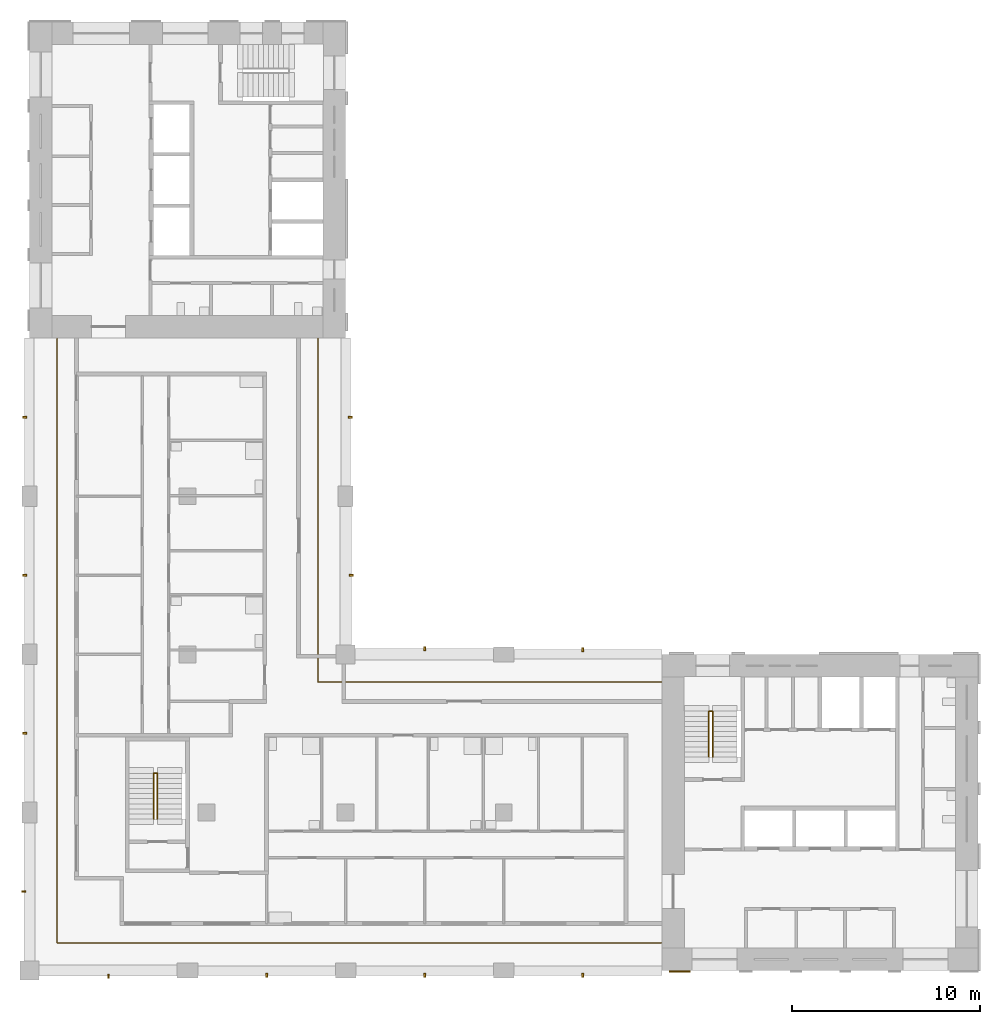
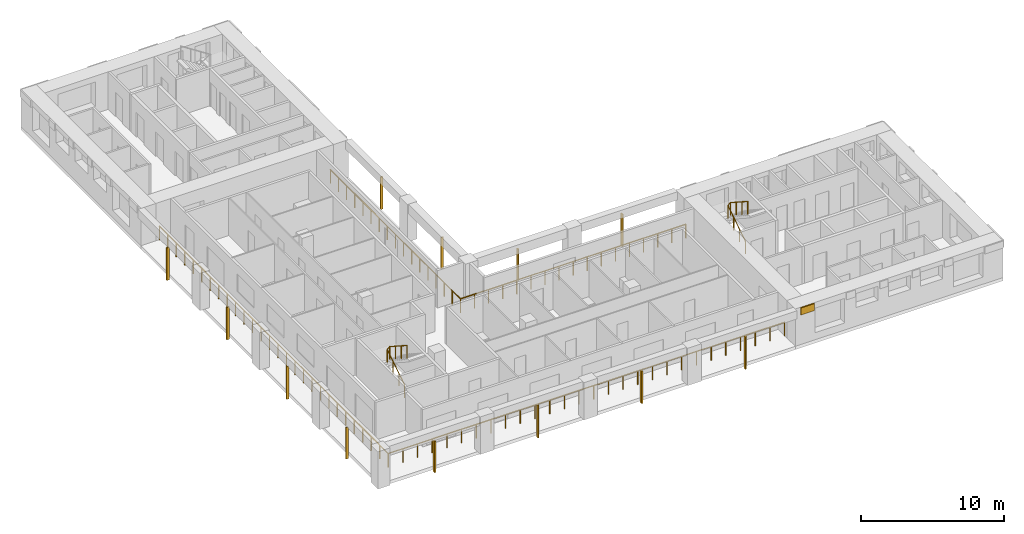
# One storey, part 8 of 10: 13 shading devices, 4 railings.
"""IFC4 building model written with IfcOpenShell, lengths in metres."""

from ifc_helpers import new_model, si_unit, direction, frame, origin, origin_2d, place, context, subcontext, project, spatial, rectangle, circle, extrude, material, layer, layer_set, material_profile, profile_set, type_object, element, save


model = new_model("IFC4")

# Units and contexts
model_context = context("Model", 3, precision=1e-05, world=origin(), true_north=direction((0.0, 1.0)))
body_context = subcontext(model_context, "Body", "Model", "MODEL_VIEW")
ifc_project = project(units=[si_unit("LENGTHUNIT", "METRE"), si_unit("AREAUNIT", "SQUARE_METRE"), si_unit("VOLUMEUNIT", "CUBIC_METRE"), si_unit("PLANEANGLEUNIT", "RADIAN"), si_unit("MASSUNIT", "GRAM", prefix="KILO")], contexts=[model_context])

# Site, building, storey
site_placement = place(None, origin())
site = spatial("IfcSite", under=ifc_project, at=site_placement, CompositionType="ELEMENT")
building_placement = place(site_placement, origin())
building = spatial("IfcBuilding", under=site, at=building_placement, Name="Vermilion Gate Residences", CompositionType="ELEMENT")
storey_placement = place(building_placement, frame((0.0, 0.0, 273.699951171875)))
storey = spatial("IfcBuildingStorey", under=building, at=storey_placement, Name="L72", CompositionType="ELEMENT", Elevation=273.699951171875)

# Railings
ifc_material_1 = material(Name="Stainless steel and toughened glass", Category="steel")
railing_type_1 = type_object("IfcRailingType", Name="LOGGIA GUARD STEEL AND GLASS 1200", PredefinedType="GUARDRAIL", material=ifc_material_1)
railing_1_placement = place(storey_placement, frame((41.97802734375, 23.72509765625, 0.0)))
element("IfcRailing", 1, at=railing_1_placement, inside=storey, type_object=railing_type_1, Name="Loggia guard", PredefinedType="GUARDRAIL", context=body_context, shape_type="SweptSolid", body=[
    extrude(circle(Radius=0.030029296875, at=origin_2d()), frame((0.0, 0.0, 1.169921875), z_axis=(-1.0, 0.0, 0.0), x_axis=(0.0, -1.0, 0.0)), (0.0, 0.0, 1.0), 18.2529296875),
    extrude(circle(Radius=0.030029296875, at=origin_2d()), frame((-18.2529296875, 0.0, 1.169921875), z_axis=(0.0, 1.0, 0.0), x_axis=(-1.0, 0.0, 0.0)), (0.0, 0.0, 1.0), 18.2529296875),
    extrude(circle(Radius=0.02490234375, at=origin_2d()), origin(), (0.0, 0.0, 1.0), 1.139892578125),
    extrude(circle(Radius=0.02490234375, at=origin_2d()), frame((-1.140869140625, 0.0, 0.0)), (0.0, 0.0, 1.0), 1.139892578125),
    extrude(circle(Radius=0.02490234375, at=origin_2d()), frame((-2.28173828125, 0.0, 0.0)), (0.0, 0.0, 1.0), 1.139892578125),
    extrude(circle(Radius=0.02490234375, at=origin_2d()), frame((-3.42236328125, 0.0, 0.0)), (0.0, 0.0, 1.0), 1.139892578125),
    extrude(circle(Radius=0.02490234375, at=origin_2d()), frame((-4.563232421875, 0.0, 0.0)), (0.0, 0.0, 1.0), 1.139892578125),
    extrude(circle(Radius=0.02490234375, at=origin_2d()), frame((-5.7041015625, 0.0, 0.0)), (0.0, 0.0, 1.0), 1.139892578125),
    extrude(circle(Radius=0.02490234375, at=origin_2d()), frame((-6.8447265625, 0.0, 0.0)), (0.0, 0.0, 1.0), 1.139892578125),
    extrude(circle(Radius=0.02490234375, at=origin_2d()), frame((-7.985595703125, 0.0, 0.0)), (0.0, 0.0, 1.0), 1.139892578125),
    extrude(circle(Radius=0.02490234375, at=origin_2d()), frame((-9.12646484375, 0.0, 0.0)), (0.0, 0.0, 1.0), 1.139892578125),
    extrude(circle(Radius=0.02490234375, at=origin_2d()), frame((-10.267333984375, 0.0, 0.0)), (0.0, 0.0, 1.0), 1.139892578125),
    extrude(circle(Radius=0.02490234375, at=origin_2d()), frame((-11.408203125, 0.0, 0.0)), (0.0, 0.0, 1.0), 1.139892578125),
    extrude(circle(Radius=0.02490234375, at=origin_2d()), frame((-12.548828125, 0.0, 0.0)), (0.0, 0.0, 1.0), 1.139892578125),
    extrude(circle(Radius=0.02490234375, at=origin_2d()), frame((-13.689697265625, 0.0, 0.0)), (0.0, 0.0, 1.0), 1.139892578125),
    extrude(circle(Radius=0.02490234375, at=origin_2d()), frame((-14.83056640625, 0.0, 0.0)), (0.0, 0.0, 1.0), 1.139892578125),
    extrude(circle(Radius=0.02490234375, at=origin_2d()), frame((-15.97119140625, 0.0, 0.0)), (0.0, 0.0, 1.0), 1.139892578125),
    extrude(circle(Radius=0.02490234375, at=origin_2d()), frame((-17.112060546875, 0.0, 0.0)), (0.0, 0.0, 1.0), 1.139892578125),
    extrude(circle(Radius=0.02490234375, at=origin_2d()), frame((-18.2529296875, 0.0, 0.0)), (0.0, 0.0, 1.0), 1.139892578125),
    extrude(circle(Radius=0.02490234375, at=origin_2d()), frame((-18.2529296875, 1.140869140625, 0.0)), (0.0, 0.0, 1.0), 1.139892578125),
    extrude(circle(Radius=0.02490234375, at=origin_2d()), frame((-18.2529296875, 2.28173828125, 0.0)), (0.0, 0.0, 1.0), 1.139892578125),
    extrude(circle(Radius=0.02490234375, at=origin_2d()), frame((-18.2529296875, 3.42236328125, 0.0)), (0.0, 0.0, 1.0), 1.139892578125),
    extrude(circle(Radius=0.02490234375, at=origin_2d()), frame((-18.2529296875, 4.563232421875, 0.0)), (0.0, 0.0, 1.0), 1.139892578125),
    extrude(circle(Radius=0.02490234375, at=origin_2d()), frame((-18.2529296875, 5.7041015625, 0.0)), (0.0, 0.0, 1.0), 1.139892578125),
    extrude(circle(Radius=0.02490234375, at=origin_2d()), frame((-18.2529296875, 6.8447265625, 0.0)), (0.0, 0.0, 1.0), 1.139892578125),
    extrude(circle(Radius=0.02490234375, at=origin_2d()), frame((-18.2529296875, 7.985595703125, 0.0)), (0.0, 0.0, 1.0), 1.139892578125),
    extrude(circle(Radius=0.02490234375, at=origin_2d()), frame((-18.2529296875, 9.12646484375, 0.0)), (0.0, 0.0, 1.0), 1.139892578125),
    extrude(circle(Radius=0.02490234375, at=origin_2d()), frame((-18.2529296875, 10.267333984375, 0.0)), (0.0, 0.0, 1.0), 1.139892578125),
    extrude(circle(Radius=0.02490234375, at=origin_2d()), frame((-18.2529296875, 11.408203125, 0.0)), (0.0, 0.0, 1.0), 1.139892578125),
    extrude(circle(Radius=0.02490234375, at=origin_2d()), frame((-18.2529296875, 12.548828125, 0.0)), (0.0, 0.0, 1.0), 1.139892578125),
    extrude(circle(Radius=0.02490234375, at=origin_2d()), frame((-18.2529296875, 13.689697265625, 0.0)), (0.0, 0.0, 1.0), 1.139892578125),
    extrude(circle(Radius=0.02490234375, at=origin_2d()), frame((-18.2529296875, 14.83056640625, 0.0)), (0.0, 0.0, 1.0), 1.139892578125),
    extrude(circle(Radius=0.02490234375, at=origin_2d()), frame((-18.2529296875, 15.97119140625, 0.0)), (0.0, 0.0, 1.0), 1.139892578125),
    extrude(circle(Radius=0.02490234375, at=origin_2d()), frame((-18.2529296875, 17.112060546875, 0.0)), (0.0, 0.0, 1.0), 1.139892578125),
    extrude(circle(Radius=0.02490234375, at=origin_2d()), frame((-18.2529296875, 18.2529296875, 0.0)), (0.0, 0.0, 1.0), 1.139892578125),
])
railing_2_placement = place(storey_placement, frame((9.875, 41.97802734375, 0.0)))
element("IfcRailing", 2, at=railing_2_placement, inside=storey, type_object=railing_type_1, Name="Loggia guard", PredefinedType="GUARDRAIL", context=body_context, shape_type="SweptSolid", body=[
    extrude(circle(Radius=0.030029296875, at=origin_2d()), frame((0.0, 0.0, 1.169921875), z_axis=(0.0, -1.0, 0.0), x_axis=(1.0, 0.0, 0.0)), (0.0, 0.0, 1.0), 32.10302734375),
    extrude(circle(Radius=0.030029296875, at=origin_2d()), frame((0.0, -32.10302734375, 1.169921875), z_axis=(1.0, 0.0, 0.0), x_axis=(0.0, 1.0, 0.0)), (0.0, 0.0, 1.0), 32.10302734375),
    extrude(circle(Radius=0.02490234375, at=origin_2d()), origin(), (0.0, 0.0, 1.0), 1.139892578125),
    extrude(circle(Radius=0.02490234375, at=origin_2d()), frame((0.0, -1.18896484375, 0.0)), (0.0, 0.0, 1.0), 1.139892578125),
    extrude(circle(Radius=0.02490234375, at=origin_2d()), frame((0.0, -2.3779296875, 0.0)), (0.0, 0.0, 1.0), 1.139892578125),
    extrude(circle(Radius=0.02490234375, at=origin_2d()), frame((0.0, -3.56689453125, 0.0)), (0.0, 0.0, 1.0), 1.139892578125),
    extrude(circle(Radius=0.02490234375, at=origin_2d()), frame((0.0, -4.756103515625, 0.0)), (0.0, 0.0, 1.0), 1.139892578125),
    extrude(circle(Radius=0.02490234375, at=origin_2d()), frame((0.0, -5.945068359375, 0.0)), (0.0, 0.0, 1.0), 1.139892578125),
    extrude(circle(Radius=0.02490234375, at=origin_2d()), frame((0.0, -7.134033203125, 0.0)), (0.0, 0.0, 1.0), 1.139892578125),
    extrude(circle(Radius=0.02490234375, at=origin_2d()), frame((0.0, -8.322998046875, 0.0)), (0.0, 0.0, 1.0), 1.139892578125),
    extrude(circle(Radius=0.02490234375, at=origin_2d()), frame((0.0, -9.511962890625, 0.0)), (0.0, 0.0, 1.0), 1.139892578125),
    extrude(circle(Radius=0.02490234375, at=origin_2d()), frame((0.0, -10.700927734375, 0.0)), (0.0, 0.0, 1.0), 1.139892578125),
    extrude(circle(Radius=0.02490234375, at=origin_2d()), frame((0.0, -11.889892578125, 0.0)), (0.0, 0.0, 1.0), 1.139892578125),
    extrude(circle(Radius=0.02490234375, at=origin_2d()), frame((0.0, -13.0791015625, 0.0)), (0.0, 0.0, 1.0), 1.139892578125),
    extrude(circle(Radius=0.02490234375, at=origin_2d()), frame((0.0, -14.26806640625, 0.0)), (0.0, 0.0, 1.0), 1.139892578125),
    extrude(circle(Radius=0.02490234375, at=origin_2d()), frame((0.0, -15.45703125, 0.0)), (0.0, 0.0, 1.0), 1.139892578125),
    extrude(circle(Radius=0.02490234375, at=origin_2d()), frame((0.0, -16.64599609375, 0.0)), (0.0, 0.0, 1.0), 1.139892578125),
    extrude(circle(Radius=0.02490234375, at=origin_2d()), frame((0.0, -17.8349609375, 0.0)), (0.0, 0.0, 1.0), 1.139892578125),
    extrude(circle(Radius=0.02490234375, at=origin_2d()), frame((0.0, -19.02392578125, 0.0)), (0.0, 0.0, 1.0), 1.139892578125),
    extrude(circle(Radius=0.02490234375, at=origin_2d()), frame((0.0, -20.213134765625, 0.0)), (0.0, 0.0, 1.0), 1.139892578125),
    extrude(circle(Radius=0.02490234375, at=origin_2d()), frame((0.0, -21.402099609375, 0.0)), (0.0, 0.0, 1.0), 1.139892578125),
    extrude(circle(Radius=0.02490234375, at=origin_2d()), frame((0.0, -22.591064453125, 0.0)), (0.0, 0.0, 1.0), 1.139892578125),
    extrude(circle(Radius=0.02490234375, at=origin_2d()), frame((0.0, -23.780029296875, 0.0)), (0.0, 0.0, 1.0), 1.139892578125),
    extrude(circle(Radius=0.02490234375, at=origin_2d()), frame((0.0, -24.968994140625, 0.0)), (0.0, 0.0, 1.0), 1.139892578125),
    extrude(circle(Radius=0.02490234375, at=origin_2d()), frame((0.0, -26.157958984375, 0.0)), (0.0, 0.0, 1.0), 1.139892578125),
    extrude(circle(Radius=0.02490234375, at=origin_2d()), frame((0.0, -27.346923828125, 0.0)), (0.0, 0.0, 1.0), 1.139892578125),
    extrude(circle(Radius=0.02490234375, at=origin_2d()), frame((0.0, -28.5361328125, 0.0)), (0.0, 0.0, 1.0), 1.139892578125),
    extrude(circle(Radius=0.02490234375, at=origin_2d()), frame((0.0, -29.72509765625, 0.0)), (0.0, 0.0, 1.0), 1.139892578125),
    extrude(circle(Radius=0.02490234375, at=origin_2d()), frame((0.0, -30.9140625, 0.0)), (0.0, 0.0, 1.0), 1.139892578125),
    extrude(circle(Radius=0.02490234375, at=origin_2d()), frame((0.0, -32.10302734375, 0.0)), (0.0, 0.0, 1.0), 1.139892578125),
    extrude(circle(Radius=0.02490234375, at=origin_2d()), frame((1.18896484375, -32.10302734375, 0.0)), (0.0, 0.0, 1.0), 1.139892578125),
    extrude(circle(Radius=0.02490234375, at=origin_2d()), frame((2.3779296875, -32.10302734375, 0.0)), (0.0, 0.0, 1.0), 1.139892578125),
    extrude(circle(Radius=0.02490234375, at=origin_2d()), frame((3.56689453125, -32.10302734375, 0.0)), (0.0, 0.0, 1.0), 1.139892578125),
    extrude(circle(Radius=0.02490234375, at=origin_2d()), frame((4.756103515625, -32.10302734375, 0.0)), (0.0, 0.0, 1.0), 1.139892578125),
    extrude(circle(Radius=0.02490234375, at=origin_2d()), frame((5.945068359375, -32.10302734375, 0.0)), (0.0, 0.0, 1.0), 1.139892578125),
    extrude(circle(Radius=0.02490234375, at=origin_2d()), frame((7.134033203125, -32.10302734375, 0.0)), (0.0, 0.0, 1.0), 1.139892578125),
    extrude(circle(Radius=0.02490234375, at=origin_2d()), frame((8.322998046875, -32.10302734375, 0.0)), (0.0, 0.0, 1.0), 1.139892578125),
    extrude(circle(Radius=0.02490234375, at=origin_2d()), frame((9.511962890625, -32.10302734375, 0.0)), (0.0, 0.0, 1.0), 1.139892578125),
    extrude(circle(Radius=0.02490234375, at=origin_2d()), frame((10.700927734375, -32.10302734375, 0.0)), (0.0, 0.0, 1.0), 1.139892578125),
    extrude(circle(Radius=0.02490234375, at=origin_2d()), frame((11.889892578125, -32.10302734375, 0.0)), (0.0, 0.0, 1.0), 1.139892578125),
    extrude(circle(Radius=0.02490234375, at=origin_2d()), frame((13.0791015625, -32.10302734375, 0.0)), (0.0, 0.0, 1.0), 1.139892578125),
    extrude(circle(Radius=0.02490234375, at=origin_2d()), frame((14.26806640625, -32.10302734375, 0.0)), (0.0, 0.0, 1.0), 1.139892578125),
    extrude(circle(Radius=0.02490234375, at=origin_2d()), frame((15.45703125, -32.10302734375, 0.0)), (0.0, 0.0, 1.0), 1.139892578125),
    extrude(circle(Radius=0.02490234375, at=origin_2d()), frame((16.64599609375, -32.10302734375, 0.0)), (0.0, 0.0, 1.0), 1.139892578125),
    extrude(circle(Radius=0.02490234375, at=origin_2d()), frame((17.8349609375, -32.10302734375, 0.0)), (0.0, 0.0, 1.0), 1.139892578125),
    extrude(circle(Radius=0.02490234375, at=origin_2d()), frame((19.02392578125, -32.10302734375, 0.0)), (0.0, 0.0, 1.0), 1.139892578125),
    extrude(circle(Radius=0.02490234375, at=origin_2d()), frame((20.213134765625, -32.10302734375, 0.0)), (0.0, 0.0, 1.0), 1.139892578125),
    extrude(circle(Radius=0.02490234375, at=origin_2d()), frame((21.402099609375, -32.10302734375, 0.0)), (0.0, 0.0, 1.0), 1.139892578125),
    extrude(circle(Radius=0.02490234375, at=origin_2d()), frame((22.591064453125, -32.10302734375, 0.0)), (0.0, 0.0, 1.0), 1.139892578125),
    extrude(circle(Radius=0.02490234375, at=origin_2d()), frame((23.780029296875, -32.10302734375, 0.0)), (0.0, 0.0, 1.0), 1.139892578125),
    extrude(circle(Radius=0.02490234375, at=origin_2d()), frame((24.968994140625, -32.10302734375, 0.0)), (0.0, 0.0, 1.0), 1.139892578125),
    extrude(circle(Radius=0.02490234375, at=origin_2d()), frame((26.157958984375, -32.10302734375, 0.0)), (0.0, 0.0, 1.0), 1.139892578125),
    extrude(circle(Radius=0.02490234375, at=origin_2d()), frame((27.346923828125, -32.10302734375, 0.0)), (0.0, 0.0, 1.0), 1.139892578125),
    extrude(circle(Radius=0.02490234375, at=origin_2d()), frame((28.5361328125, -32.10302734375, 0.0)), (0.0, 0.0, 1.0), 1.139892578125),
    extrude(circle(Radius=0.02490234375, at=origin_2d()), frame((29.72509765625, -32.10302734375, 0.0)), (0.0, 0.0, 1.0), 1.139892578125),
    extrude(circle(Radius=0.02490234375, at=origin_2d()), frame((30.9140625, -32.10302734375, 0.0)), (0.0, 0.0, 1.0), 1.139892578125),
    extrude(circle(Radius=0.02490234375, at=origin_2d()), frame((32.10302734375, -32.10302734375, 0.0)), (0.0, 0.0, 1.0), 1.139892578125),
])
ifc_material_2 = material(Name="Steel S355", Category="steel")
railing_type_2 = type_object("IfcRailingType", Name="STAIR GUARD 1100 STEEL", PredefinedType="GUARDRAIL", material=ifc_material_2)
for number, where, name in (
    (3, (44.5, 19.75, 0.175048828125), "Stair well guard STA1-72"),
    (4, (15.0, 16.449951171875, 0.175048828125), "Stair well guard STC1-72"),
):
    element("IfcRailing", number, at=place(storey_placement, frame(where)), inside=storey, type_object=railing_type_2, Name=name, PredefinedType="GUARDRAIL", context=body_context, shape_type="SweptSolid", body=[
        extrude(circle(Radius=0.02392578125, at=origin_2d()), frame((0.0, 0.0, 1.076171875), z_axis=(0.0, 0.839153699163, 0.543894354798), x_axis=(-1.0, 0.0, 0.0)), (0.0, 0.0, 1.0), 2.895751953125),
        extrude(circle(Radius=0.02392578125, at=origin_2d()), frame((0.0, 2.429931640625, 2.65087890625), z_axis=(0.752405939678, 0.0, 0.658699705433), x_axis=(0.0, 1.0, 0.0)), (0.0, 0.0, 1.0), 0.265869140625),
        extrude(circle(Radius=0.02392578125, at=origin_2d()), frame((0.199951171875, 2.429931640625, 2.826171875), z_axis=(0.0, -0.839153699163, 0.543894354798), x_axis=(1.0, 0.0, 0.0)), (0.0, 0.0, 1.0), 2.895751953125),
        extrude(circle(Radius=0.02099609375, at=origin_2d()), origin(), (0.0, 0.0, 1.0), 1.052001953125),
        extrude(circle(Radius=0.02099609375, at=origin_2d()), frame((0.0, 0.81005859375, 0.52490234375)), (0.0, 0.0, 1.0), 1.052001953125),
        extrude(circle(Radius=0.02099609375, at=origin_2d()), frame((0.0, 1.619873046875, 1.050048828125)), (0.0, 0.0, 1.0), 1.052001953125),
        extrude(circle(Radius=0.02099609375, at=origin_2d()), frame((0.0, 2.429931640625, 1.574951171875)), (0.0, 0.0, 1.0), 1.052001953125),
        extrude(circle(Radius=0.02099609375, at=origin_2d()), frame((0.199951171875, 2.429931640625, 1.75)), (0.0, 0.0, 1.0), 1.052001953125),
        extrude(circle(Radius=0.02099609375, at=origin_2d()), frame((0.199951171875, 1.619873046875, 2.27490234375)), (0.0, 0.0, 1.0), 1.052001953125),
        extrude(circle(Radius=0.02099609375, at=origin_2d()), frame((0.199951171875, 0.81005859375, 2.800048828125)), (0.0, 0.0, 1.0), 1.052001953125),
        extrude(circle(Radius=0.02099609375, at=origin_2d()), frame((0.199951171875, 0.0, 3.324951171875)), (0.0, 0.0, 1.0), 1.052001953125),
    ])

# Shading devices
ifc_material_3 = material(Name="Extruded terracotta", Category="masonry")
ifc_material_profile = material_profile(ifc_material_3, rectangle(XDim=0.199951171875, YDim=0.10009765625, at=origin_2d()), Name="BAGUETTE 100 X 200")
ifc_profile_set = profile_set([ifc_material_profile], Name="Extruded terracotta")
shading_device_type_1 = type_object("IfcShadingDeviceType", Name="TERRACOTTA BAGUETTE 100 X 200", PredefinedType="JALOUSIE", material=ifc_profile_set)
shading_device_1_placement = place(storey_placement, frame((12.60009765625, 8.10009765625, -0.280029296875), z_axis=(0.0, 0.0, 1.0), x_axis=(0.0, 1.0, 0.0)))
element("IfcShadingDevice", 5, at=shading_device_1_placement, inside=storey, type_object=shading_device_type_1, Name="BAGUETTE", PredefinedType="JALOUSIE", context=body_context, shape_type="SweptSolid", body=[
    extrude(rectangle(XDim=0.199951171875, YDim=0.10009765625, at=origin_2d()), origin(), (0.0, 0.0, 1.0), 2.68017578125),
])
for number, where, z_axis, x_axis, name in (
    (6, (21.0, 8.14990234375, -0.280029296875), (0.0, 0.0, 1.0), (0.0, 1.0, 0.0), "BAGUETTE"),
    (7, (29.39990234375, 8.14990234375, -0.280029296875), (0.0, 0.0, 1.0), (0.0, 1.0, 0.0), "BAGUETTE"),
    (8, (37.800048828125, 8.14990234375, -0.280029296875), (0.0, 0.0, 1.0), (0.0, 1.0, 0.0), "BAGUETTE"),
):
    element("IfcShadingDevice", number, at=place(storey_placement, frame(where, z_axis=z_axis, x_axis=x_axis)), inside=storey, type_object=shading_device_type_1, Name=name, PredefinedType="JALOUSIE", context=body_context, shape_type="SweptSolid", body=[
        extrude(rectangle(XDim=0.199951171875, YDim=0.10009765625, at=origin_2d()), origin(), (0.0, 0.0, 1.0), 2.780029296875),
    ])
shading_device_2_placement = place(storey_placement, frame((29.39990234375, 25.5, -0.280029296875), z_axis=(0.0, 0.0, 1.0), x_axis=(0.0, -1.0, 0.0)))
element("IfcShadingDevice", 9, at=shading_device_2_placement, inside=storey, type_object=shading_device_type_1, Name="BAGUETTE", PredefinedType="JALOUSIE", context=body_context, shape_type="SweptSolid", body=[
    extrude(rectangle(XDim=0.199951171875, YDim=0.10009765625, at=origin_2d()), origin(), (0.0, 0.0, 1.0), 2.68017578125),
])
shading_device_3_placement = place(storey_placement, frame((37.800048828125, 25.449951171875, -0.280029296875), z_axis=(0.0, 0.0, 1.0), x_axis=(0.0, -1.0, 0.0)))
element("IfcShadingDevice", 10, at=shading_device_3_placement, inside=storey, type_object=shading_device_type_1, Name="BAGUETTE", PredefinedType="JALOUSIE", context=body_context, shape_type="SweptSolid", body=[
    extrude(rectangle(XDim=0.199951171875, YDim=0.10009765625, at=origin_2d()), origin(), (0.0, 0.0, 1.0), 2.780029296875),
])
shading_device_4_placement = place(storey_placement, frame((25.5, 29.39990234375, -0.280029296875), z_axis=(0.0, 0.0, 1.0), x_axis=(-1.0, 0.0, 0.0)))
element("IfcShadingDevice", 11, at=shading_device_4_placement, inside=storey, type_object=shading_device_type_1, Name="BAGUETTE", PredefinedType="JALOUSIE", context=body_context, shape_type="SweptSolid", body=[
    extrude(rectangle(XDim=0.199951171875, YDim=0.10009765625, at=origin_2d()), origin(), (0.0, 0.0, 1.0), 2.68017578125),
])
shading_device_5_placement = place(storey_placement, frame((25.449951171875, 37.800048828125, -0.280029296875), z_axis=(0.0, 0.0, 1.0), x_axis=(-1.0, 0.0, 0.0)))
element("IfcShadingDevice", 12, at=shading_device_5_placement, inside=storey, type_object=shading_device_type_1, Name="BAGUETTE", PredefinedType="JALOUSIE", context=body_context, shape_type="SweptSolid", body=[
    extrude(rectangle(XDim=0.199951171875, YDim=0.10009765625, at=origin_2d()), origin(), (0.0, 0.0, 1.0), 2.780029296875),
])
shading_device_6_placement = place(storey_placement, frame((8.10009765625, 12.60009765625, -0.280029296875), z_axis=(0.0, 0.0, 1.0), x_axis=(1.0, 0.0, 0.0)))
element("IfcShadingDevice", 13, at=shading_device_6_placement, inside=storey, type_object=shading_device_type_1, Name="BAGUETTE", PredefinedType="JALOUSIE", context=body_context, shape_type="SweptSolid", body=[
    extrude(rectangle(XDim=0.199951171875, YDim=0.10009765625, at=origin_2d()), origin(), (0.0, 0.0, 1.0), 2.68017578125),
])
for number, where, z_axis, x_axis, name in (
    (14, (8.14990234375, 21.0, -0.280029296875), (0.0, 0.0, 1.0), (1.0, 0.0, 0.0), "BAGUETTE"),
    (15, (8.14990234375, 29.39990234375, -0.280029296875), (0.0, 0.0, 1.0), (1.0, 0.0, 0.0), "BAGUETTE"),
    (16, (8.14990234375, 37.800048828125, -0.280029296875), (0.0, 0.0, 1.0), (1.0, 0.0, 0.0), "BAGUETTE"),
):
    element("IfcShadingDevice", number, at=place(storey_placement, frame(where, z_axis=z_axis, x_axis=x_axis)), inside=storey, type_object=shading_device_type_1, Name=name, PredefinedType="JALOUSIE", context=body_context, shape_type="SweptSolid", body=[
        extrude(rectangle(XDim=0.199951171875, YDim=0.10009765625, at=origin_2d()), origin(), (0.0, 0.0, 1.0), 2.780029296875),
    ])
ifc_material_4 = material(Name="Extruded terracotta", Category="masonry")
ifc_layer = layer(ifc_material_4, 0.10009765625)
ifc_layer_set = layer_set([ifc_layer], Name="TERRACOTTA SPANDREL BAND 600 X 100")
shading_device_type_2 = type_object("IfcShadingDeviceType", Name="TERRACOTTA SPANDREL BAND 600 X 100", PredefinedType="USERDEFINED", material=ifc_layer_set)
shading_device_7_placement = place(storey_placement, frame((42.949951171875, 8.35009765625, 2.60009765625), z_axis=(0.0, 0.0, 1.0), x_axis=(1.0, 0.0, 0.0)))
element("IfcShadingDevice", 17, at=shading_device_7_placement, inside=storey, type_object=shading_device_type_2, Name="SPANDREL BAND", ObjectType="BAND", PredefinedType="USERDEFINED", context=body_context, shape_type="SweptSolid", body=[
    extrude(rectangle(XDim=1.10009765625, YDim=0.10009765625, at=origin_2d()), origin(), (0.0, 0.0, 1.0), 0.60009765625),
])

save(model, "model.ifc")
